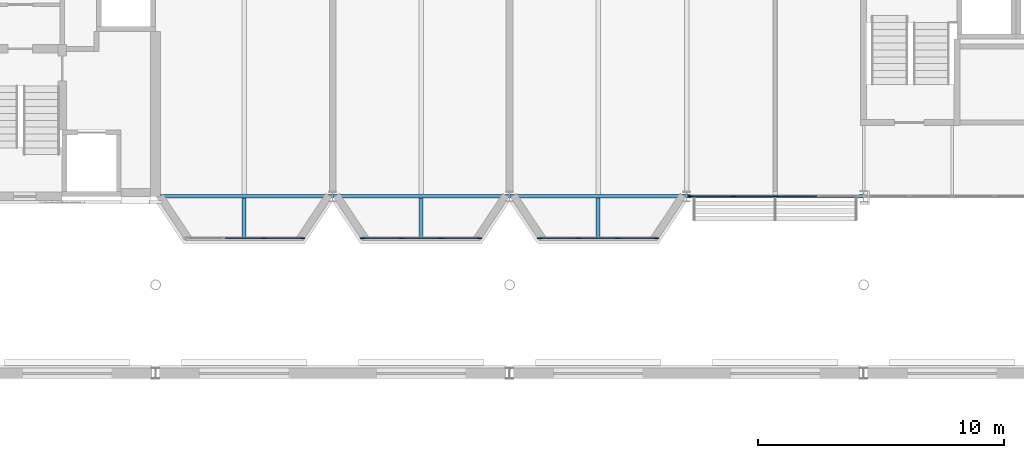
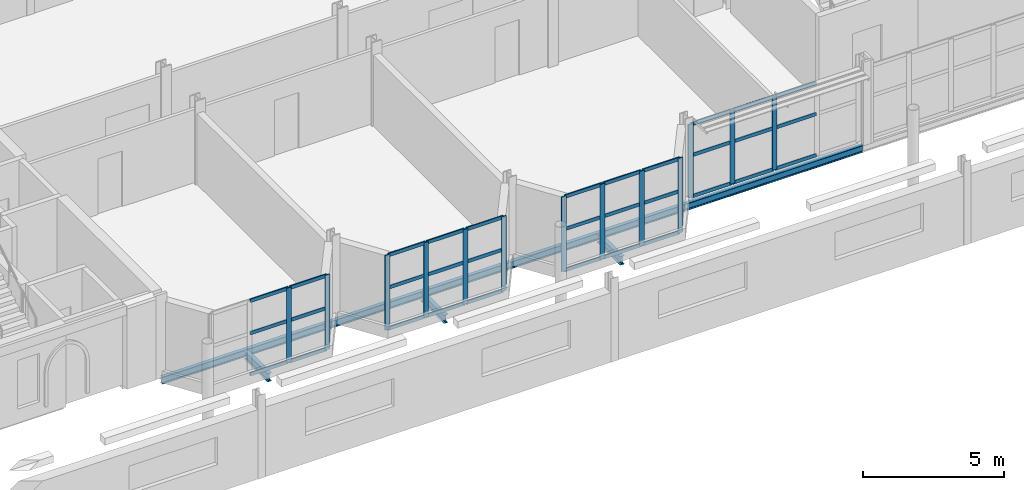
# One storey, part 47 of 124: 46 members, 7 beams, 4 elements without a shape of their own.
"""IFC4 building model written with IfcOpenShell, lengths in metres."""

from ifc_helpers import new_model, si_unit, direction, frame, origin, origin_2d, place, context, subcontext, project, spatial, rectangle, i_section, extrude, material, material_profile, profile_set, type_object, element, aggregate, save


model = new_model("IFC4")

# Units and contexts
model_context = context("Model", 3, precision=1e-05, world=origin(), true_north=direction((0.0, 1.0)))
body_context = subcontext(model_context, "Body", "Model", "MODEL_VIEW")
ifc_project = project(units=[si_unit("LENGTHUNIT", "METRE"), si_unit("AREAUNIT", "SQUARE_METRE"), si_unit("VOLUMEUNIT", "CUBIC_METRE"), si_unit("PLANEANGLEUNIT", "RADIAN"), si_unit("MASSUNIT", "GRAM", prefix="KILO")], contexts=[model_context])

# Site, building, storey
site_placement = place(None, origin())
site = spatial("IfcSite", under=ifc_project, at=site_placement, CompositionType="ELEMENT")
building_placement = place(site_placement, origin())
building = spatial("IfcBuilding", under=site, at=building_placement, Name="Kupolbacken Congress Centre", CompositionType="ELEMENT")
storey_placement = place(building_placement, frame((0.0, 0.0, 10.800048828125)))
storey = spatial("IfcBuildingStorey", under=building, at=storey_placement, Name="L03", CompositionType="ELEMENT", Elevation=10.800048828125)

# Beams
ifc_material_1 = material(Name="Steel S355", Category="steel")
ifc_material_profile_1 = material_profile(ifc_material_1, i_section(OverallWidth=0.14990234375, OverallDepth=0.300048828125, WebThickness=0.007080078125, FlangeThickness=0.0107421875, FilletRadius=0.014892578125, at=origin_2d()), Name="IPE 300")
ifc_profile_set_1 = profile_set([ifc_material_profile_1], Name="Steel S355")
beam_type_1 = type_object("IfcBeamType", Name="B04 beam IPE 300", PredefinedType="BEAM", material=ifc_profile_set_1)
beam_1_placement = place(storey_placement, frame((108.199951171875, 122.39990234375, -0.330078125), z_axis=(1.0, 0.0, 0.0), x_axis=(0.0, 1.0, 0.0)))
element("IfcBeam", 1, at=beam_1_placement, inside=storey, type_object=beam_type_1, Name="S/floor/T/L03/R003", PredefinedType="BEAM", context=body_context, shape_type="SweptSolid", body=[
    extrude(i_section(OverallWidth=0.14990234375, OverallDepth=0.300048828125, WebThickness=0.007080078125, FlangeThickness=0.0107421875, FilletRadius=0.014892578125, at=origin_2d()), origin(), (0.0, 0.0, 1.0), 6.989501953125),
])
beam_2_placement = place(storey_placement, frame((115.21044921875, 122.39990234375, -0.330078125), z_axis=(1.0, 0.0, 0.0), x_axis=(0.0, 1.0, 0.0)))
element("IfcBeam", 2, at=beam_2_placement, inside=storey, type_object=beam_type_1, Name="S/floor/T/L03/R004", PredefinedType="BEAM", context=body_context, shape_type="SweptSolid", body=[
    extrude(i_section(OverallWidth=0.14990234375, OverallDepth=0.300048828125, WebThickness=0.007080078125, FlangeThickness=0.0107421875, FilletRadius=0.014892578125, at=origin_2d()), origin(), (0.0, 0.0, 1.0), 7.178955078125),
])
beam_3_placement = place(storey_placement, frame((122.410400390625, 122.39990234375, -0.330078125), z_axis=(1.0, 0.0, 0.0), x_axis=(0.0, 1.0, 0.0)))
element("IfcBeam", 3, at=beam_3_placement, inside=storey, type_object=beam_type_1, Name="S/floor/T/L03/R005", PredefinedType="BEAM", context=body_context, shape_type="SweptSolid", body=[
    extrude(i_section(OverallWidth=0.14990234375, OverallDepth=0.300048828125, WebThickness=0.007080078125, FlangeThickness=0.0107421875, FilletRadius=0.014892578125, at=origin_2d()), origin(), (0.0, 0.0, 1.0), 7.17919921875),
])
beam_4_placement = place(storey_placement, frame((129.610595703125, 122.39990234375, -0.330078125), z_axis=(1.0, 0.0, 0.0), x_axis=(0.0, 1.0, 0.0)))
element("IfcBeam", 4, at=beam_4_placement, inside=storey, type_object=beam_type_1, Name="S/floor/T/L03/R006", PredefinedType="BEAM", context=body_context, shape_type="SweptSolid", body=[
    extrude(i_section(OverallWidth=0.14990234375, OverallDepth=0.300048828125, WebThickness=0.007080078125, FlangeThickness=0.0107421875, FilletRadius=0.014892578125, at=origin_2d()), origin(), (0.0, 0.0, 1.0), 7.182373046875),
])
ifc_material_2 = material(Name="Steel S355", Category="steel")
ifc_material_profile_2 = material_profile(ifc_material_2, i_section(OverallWidth=0.169921875, OverallDepth=0.360107421875, WebThickness=0.008056640625, FlangeThickness=0.0126953125, FilletRadius=0.01806640625, at=origin_2d()), Name="IPE 360")
ifc_profile_set_2 = profile_set([ifc_material_profile_2], Name="Steel S355")
beam_type_2 = type_object("IfcBeamType", Name="B06 beam IPE 360", PredefinedType="BEAM", material=ifc_profile_set_2)
for number, where, z_axis, x_axis, name in (
    (5, (111.60009765625, 122.324951171875, -0.360107421875), (0.0, -1.0, 0.0), (1.0, 0.0, 0.0), "S/floor/T/L03/C085"),
    (6, (118.800048828125, 122.324951171875, -0.360107421875), (0.0, -1.0, 0.0), (1.0, 0.0, 0.0), "S/floor/T/L03/C087"),
    (7, (126.0, 122.324951171875, -0.360107421875), (0.0, -1.0, 0.0), (1.0, 0.0, 0.0), "S/floor/T/L03/C089"),
):
    element("IfcBeam", number, at=place(storey_placement, frame(where, z_axis=z_axis, x_axis=x_axis)), inside=storey, type_object=beam_type_2, Name=name, PredefinedType="BEAM", context=body_context, shape_type="SweptSolid", body=[
        extrude(i_section(OverallWidth=0.169921875, OverallDepth=0.360107421875, WebThickness=0.008056640625, FlangeThickness=0.0126953125, FilletRadius=0.01806640625, at=origin_2d()), origin(), (0.0, 0.0, 1.0), 1.6650390625),
    ])

# Curtain wall, members
ifc_material_3 = material(Name="Aluminium mullion-transom frame with glass", Category="aluminium")
curtain_wall_type = type_object("IfcCurtainWallType", Name="CW1 curtain wall 7200x3600", PredefinedType="NOTDEFINED", material=ifc_material_3)
curtain_wall_1_placement = place(storey_placement, origin())
curtain_wall_1 = element("IfcCurtainWall", 8, at=curtain_wall_1_placement, inside=storey, type_object=curtain_wall_type, Name="E/T/S/L03/043/g0", PredefinedType="NOTDEFINED")
ifc_material_4 = material(Name="Aluminium alloy", Category="aluminium")
ifc_material_profile_3 = material_profile(ifc_material_4, rectangle(XDim=0.050048828125, YDim=0.199951171875, at=origin_2d()), Name="50 x 200")
ifc_profile_set_3 = profile_set([ifc_material_profile_3], Name="Aluminium alloy")
member_type_1 = type_object("IfcMemberType", Name="MU2 mullion 50x200", PredefinedType="MULLION", material=ifc_profile_set_3)
member_1_placement = place(storey_placement, frame((129.778564453125, 122.39990234375, 0.0), z_axis=(0.0, 0.0, 1.0), x_axis=(0.0, 1.0, 0.0)))
member_1 = element("IfcMember", 9, at=member_1_placement, type_object=member_type_1, Name="CW1 mullion 1", PredefinedType="MULLION", context=body_context, shape_type="SweptSolid", body=[
    extrude(rectangle(XDim=0.050048828125, YDim=0.199951171875, at=origin_2d()), origin(), (0.0, 0.0, 1.0), 3.159912109375),
])
member_2_placement = place(storey_placement, frame((131.4775390625, 122.39990234375, 0.0), z_axis=(0.0, 0.0, 1.0), x_axis=(0.0, 1.0, 0.0)))
member_2 = element("IfcMember", 10, at=member_2_placement, type_object=member_type_1, Name="CW1 mullion 2", PredefinedType="MULLION", context=body_context, shape_type="SweptSolid", body=[
    extrude(rectangle(XDim=0.050048828125, YDim=0.199951171875, at=origin_2d()), origin(), (0.0, 0.0, 1.0), 3.159912109375),
])
member_3_placement = place(storey_placement, frame((133.20166015625, 122.39990234375, 0.0), z_axis=(0.0, 0.0, 1.0), x_axis=(0.0, 1.0, 0.0)))
member_3 = element("IfcMember", 11, at=member_3_placement, type_object=member_type_1, Name="CW1 mullion 3", PredefinedType="MULLION", context=body_context, shape_type="SweptSolid", body=[
    extrude(rectangle(XDim=0.050048828125, YDim=0.199951171875, at=origin_2d()), origin(), (0.0, 0.0, 1.0), 3.159912109375),
])

curtain_wall_2_placement = place(storey_placement, origin())
curtain_wall_2 = element("IfcCurtainWall", 12, at=curtain_wall_2_placement, inside=storey, type_object=curtain_wall_type, Name="E/T/cumba/L03/S/011/cw", PredefinedType="NOTDEFINED")
member_4_placement = place(storey_placement, frame((112.39990234375, 120.699951171875, 0.0), z_axis=(0.0, 0.0, 1.0), x_axis=(0.0, 1.0, 0.0)))
member_4 = element("IfcMember", 13, at=member_4_placement, type_object=member_type_1, Name="CW1 mullion 3", PredefinedType="MULLION", context=body_context, shape_type="SweptSolid", body=[
    extrude(rectangle(XDim=0.050048828125, YDim=0.199951171875, at=origin_2d()), origin(), (0.0, 0.0, 1.0), 3.219970703125),
])
member_5_placement = place(storey_placement, frame((113.97509765625, 120.699951171875, 0.0), z_axis=(0.0, 0.0, 1.0), x_axis=(0.0, 1.0, 0.0)))
member_5 = element("IfcMember", 14, at=member_5_placement, type_object=member_type_1, Name="CW1 mullion 4", PredefinedType="MULLION", context=body_context, shape_type="SweptSolid", body=[
    extrude(rectangle(XDim=0.050048828125, YDim=0.199951171875, at=origin_2d()), origin(), (0.0, 0.0, 1.0), 3.219970703125),
])

curtain_wall_3_placement = place(storey_placement, origin())
curtain_wall_3 = element("IfcCurtainWall", 15, at=curtain_wall_3_placement, inside=storey, type_object=curtain_wall_type, Name="E/T/cumba/L03/S/015/cw", PredefinedType="NOTDEFINED")
member_6_placement = place(storey_placement, frame((116.425048828125, 120.699951171875, 0.0), z_axis=(0.0, 0.0, 1.0), x_axis=(0.0, 1.0, 0.0)))
member_6 = element("IfcMember", 16, at=member_6_placement, type_object=member_type_1, Name="CW1 mullion 1", PredefinedType="MULLION", context=body_context, shape_type="SweptSolid", body=[
    extrude(rectangle(XDim=0.050048828125, YDim=0.199951171875, at=origin_2d()), origin(), (0.0, 0.0, 1.0), 3.219970703125),
])
member_7_placement = place(storey_placement, frame((118.0, 120.699951171875, 0.0), z_axis=(0.0, 0.0, 1.0), x_axis=(0.0, 1.0, 0.0)))
member_7 = element("IfcMember", 17, at=member_7_placement, type_object=member_type_1, Name="CW1 mullion 2", PredefinedType="MULLION", context=body_context, shape_type="SweptSolid", body=[
    extrude(rectangle(XDim=0.050048828125, YDim=0.199951171875, at=origin_2d()), origin(), (0.0, 0.0, 1.0), 3.219970703125),
])
member_8_placement = place(storey_placement, frame((119.60009765625, 120.699951171875, 0.0), z_axis=(0.0, 0.0, 1.0), x_axis=(0.0, 1.0, 0.0)))
member_8 = element("IfcMember", 18, at=member_8_placement, type_object=member_type_1, Name="CW1 mullion 3", PredefinedType="MULLION", context=body_context, shape_type="SweptSolid", body=[
    extrude(rectangle(XDim=0.050048828125, YDim=0.199951171875, at=origin_2d()), origin(), (0.0, 0.0, 1.0), 3.219970703125),
])
member_9_placement = place(storey_placement, frame((121.175048828125, 120.699951171875, 0.0), z_axis=(0.0, 0.0, 1.0), x_axis=(0.0, 1.0, 0.0)))
member_9 = element("IfcMember", 19, at=member_9_placement, type_object=member_type_1, Name="CW1 mullion 4", PredefinedType="MULLION", context=body_context, shape_type="SweptSolid", body=[
    extrude(rectangle(XDim=0.050048828125, YDim=0.199951171875, at=origin_2d()), origin(), (0.0, 0.0, 1.0), 3.219970703125),
])

curtain_wall_4_placement = place(storey_placement, origin())
curtain_wall_4 = element("IfcCurtainWall", 20, at=curtain_wall_4_placement, inside=storey, type_object=curtain_wall_type, Name="E/T/cumba/L03/S/019/cw", PredefinedType="NOTDEFINED")
member_10_placement = place(storey_placement, frame((123.625, 120.699951171875, 0.0), z_axis=(0.0, 0.0, 1.0), x_axis=(0.0, 1.0, 0.0)))
member_10 = element("IfcMember", 21, at=member_10_placement, type_object=member_type_1, Name="CW1 mullion 1", PredefinedType="MULLION", context=body_context, shape_type="SweptSolid", body=[
    extrude(rectangle(XDim=0.050048828125, YDim=0.199951171875, at=origin_2d()), origin(), (0.0, 0.0, 1.0), 3.219970703125),
])
member_11_placement = place(storey_placement, frame((125.199951171875, 120.699951171875, 0.0), z_axis=(0.0, 0.0, 1.0), x_axis=(0.0, 1.0, 0.0)))
member_11 = element("IfcMember", 22, at=member_11_placement, type_object=member_type_1, Name="CW1 mullion 2", PredefinedType="MULLION", context=body_context, shape_type="SweptSolid", body=[
    extrude(rectangle(XDim=0.050048828125, YDim=0.199951171875, at=origin_2d()), origin(), (0.0, 0.0, 1.0), 3.219970703125),
])
member_12_placement = place(storey_placement, frame((126.800048828125, 120.699951171875, 0.0), z_axis=(0.0, 0.0, 1.0), x_axis=(0.0, 1.0, 0.0)))
member_12 = element("IfcMember", 23, at=member_12_placement, type_object=member_type_1, Name="CW1 mullion 3", PredefinedType="MULLION", context=body_context, shape_type="SweptSolid", body=[
    extrude(rectangle(XDim=0.050048828125, YDim=0.199951171875, at=origin_2d()), origin(), (0.0, 0.0, 1.0), 3.219970703125),
])
member_13_placement = place(storey_placement, frame((128.375, 120.699951171875, 0.0), z_axis=(0.0, 0.0, 1.0), x_axis=(0.0, 1.0, 0.0)))
member_13 = element("IfcMember", 24, at=member_13_placement, type_object=member_type_1, Name="CW1 mullion 4", PredefinedType="MULLION", context=body_context, shape_type="SweptSolid", body=[
    extrude(rectangle(XDim=0.050048828125, YDim=0.199951171875, at=origin_2d()), origin(), (0.0, 0.0, 1.0), 3.219970703125),
])

# Member
ifc_material_5 = material(Name="Aluminium alloy", Category="aluminium")
ifc_material_profile_4 = material_profile(ifc_material_5, rectangle(XDim=0.050048828125, YDim=0.14990234375, at=origin_2d()), Name="50 x 150")
ifc_profile_set_4 = profile_set([ifc_material_profile_4], Name="Aluminium alloy")
member_type_2 = type_object("IfcMemberType", Name="TR2 transom 50x150", PredefinedType="MULLION", material=ifc_profile_set_4)
member_14_placement = place(storey_placement, frame((129.803466796875, 122.39990234375, 0.02490234375), z_axis=(1.0, 0.0, 0.0), x_axis=(0.0, 1.0, 0.0)))
member_14 = element("IfcMember", 25, at=member_14_placement, type_object=member_type_2, Name="CW1 transom 1.1", PredefinedType="MULLION", context=body_context, shape_type="SweptSolid", body=[
    extrude(rectangle(XDim=0.050048828125, YDim=0.14990234375, at=origin_2d()), origin(), (0.0, 0.0, 1.0), 1.649169921875),
])

member_15_placement = place(storey_placement, frame((129.803466796875, 122.39990234375, 1.800048828125), z_axis=(1.0, 0.0, 0.0), x_axis=(0.0, 1.0, 0.0)))
member_15 = element("IfcMember", 26, at=member_15_placement, type_object=member_type_2, Name="CW1 transom 1.2", PredefinedType="MULLION", context=body_context, shape_type="SweptSolid", body=[
    extrude(rectangle(XDim=0.050048828125, YDim=0.14990234375, at=origin_2d()), origin(), (0.0, 0.0, 1.0), 1.649169921875),
])

member_16_placement = place(storey_placement, frame((129.803466796875, 122.39990234375, 3.135009765625), z_axis=(1.0, 0.0, 0.0), x_axis=(0.0, 1.0, 0.0)))
member_16 = element("IfcMember", 27, at=member_16_placement, type_object=member_type_2, Name="CW1 transom 1.3", PredefinedType="MULLION", context=body_context, shape_type="SweptSolid", body=[
    extrude(rectangle(XDim=0.050048828125, YDim=0.14990234375, at=origin_2d()), origin(), (0.0, 0.0, 1.0), 1.649169921875),
])

member_17_placement = place(storey_placement, frame((131.502685546875, 122.39990234375, 0.02490234375), z_axis=(1.0, 0.0, 0.0), x_axis=(0.0, 1.0, 0.0)))
member_17 = element("IfcMember", 28, at=member_17_placement, type_object=member_type_2, Name="CW1 transom 2.1", PredefinedType="MULLION", context=body_context, shape_type="SweptSolid", body=[
    extrude(rectangle(XDim=0.050048828125, YDim=0.14990234375, at=origin_2d()), origin(), (0.0, 0.0, 1.0), 1.674072265625),
])

member_18_placement = place(storey_placement, frame((131.502685546875, 122.39990234375, 1.800048828125), z_axis=(1.0, 0.0, 0.0), x_axis=(0.0, 1.0, 0.0)))
member_18 = element("IfcMember", 29, at=member_18_placement, type_object=member_type_2, Name="CW1 transom 2.2", PredefinedType="MULLION", context=body_context, shape_type="SweptSolid", body=[
    extrude(rectangle(XDim=0.050048828125, YDim=0.14990234375, at=origin_2d()), origin(), (0.0, 0.0, 1.0), 1.674072265625),
])

member_19_placement = place(storey_placement, frame((131.502685546875, 122.39990234375, 3.135009765625), z_axis=(1.0, 0.0, 0.0), x_axis=(0.0, 1.0, 0.0)))
member_19 = element("IfcMember", 30, at=member_19_placement, type_object=member_type_2, Name="CW1 transom 2.3", PredefinedType="MULLION", context=body_context, shape_type="SweptSolid", body=[
    extrude(rectangle(XDim=0.050048828125, YDim=0.14990234375, at=origin_2d()), origin(), (0.0, 0.0, 1.0), 1.674072265625),
])

member_20_placement = place(storey_placement, frame((133.226806640625, 122.39990234375, 0.02490234375), z_axis=(1.0, 0.0, 0.0), x_axis=(0.0, 1.0, 0.0)))
member_20 = element("IfcMember", 31, at=member_20_placement, type_object=member_type_2, Name="CW1 transom 3.1", PredefinedType="MULLION", context=body_context, shape_type="SweptSolid", body=[
    extrude(rectangle(XDim=0.050048828125, YDim=0.14990234375, at=origin_2d()), origin(), (0.0, 0.0, 1.0), 1.674072265625),
])

member_21_placement = place(storey_placement, frame((133.226806640625, 122.39990234375, 1.800048828125), z_axis=(1.0, 0.0, 0.0), x_axis=(0.0, 1.0, 0.0)))
member_21 = element("IfcMember", 32, at=member_21_placement, type_object=member_type_2, Name="CW1 transom 3.2", PredefinedType="MULLION", context=body_context, shape_type="SweptSolid", body=[
    extrude(rectangle(XDim=0.050048828125, YDim=0.14990234375, at=origin_2d()), origin(), (0.0, 0.0, 1.0), 1.674072265625),
])

member_22_placement = place(storey_placement, frame((133.226806640625, 122.39990234375, 3.135009765625), z_axis=(1.0, 0.0, 0.0), x_axis=(0.0, 1.0, 0.0)))
member_22 = element("IfcMember", 33, at=member_22_placement, type_object=member_type_2, Name="CW1 transom 3.3", PredefinedType="MULLION", context=body_context, shape_type="SweptSolid", body=[
    extrude(rectangle(XDim=0.050048828125, YDim=0.14990234375, at=origin_2d()), origin(), (0.0, 0.0, 1.0), 1.674072265625),
])

aggregate(curtain_wall_1, [member_1, member_2, member_3, member_14, member_15, member_16, member_17, member_18, member_19, member_20, member_21, member_22])

member_23_placement = place(storey_placement, frame((110.824951171875, 120.699951171875, 0.02490234375), z_axis=(1.0, 0.0, 0.0), x_axis=(0.0, 1.0, 0.0)))
member_23 = element("IfcMember", 34, at=member_23_placement, type_object=member_type_2, Name="CW1 transom 2.1", PredefinedType="MULLION", context=body_context, shape_type="SweptSolid", body=[
    extrude(rectangle(XDim=0.050048828125, YDim=0.14990234375, at=origin_2d()), origin(), (0.0, 0.0, 1.0), 1.550048828125),
])

member_24_placement = place(storey_placement, frame((110.824951171875, 120.699951171875, 1.800048828125), z_axis=(1.0, 0.0, 0.0), x_axis=(0.0, 1.0, 0.0)))
member_24 = element("IfcMember", 35, at=member_24_placement, type_object=member_type_2, Name="CW1 transom 2.2", PredefinedType="MULLION", context=body_context, shape_type="SweptSolid", body=[
    extrude(rectangle(XDim=0.050048828125, YDim=0.14990234375, at=origin_2d()), origin(), (0.0, 0.0, 1.0), 1.550048828125),
])

member_25_placement = place(storey_placement, frame((110.824951171875, 120.699951171875, 3.195068359375), z_axis=(1.0, 0.0, 0.0), x_axis=(0.0, 1.0, 0.0)))
member_25 = element("IfcMember", 36, at=member_25_placement, type_object=member_type_2, Name="CW1 transom 2.3", PredefinedType="MULLION", context=body_context, shape_type="SweptSolid", body=[
    extrude(rectangle(XDim=0.050048828125, YDim=0.14990234375, at=origin_2d()), origin(), (0.0, 0.0, 1.0), 1.550048828125),
])

member_26_placement = place(storey_placement, frame((112.425048828125, 120.699951171875, 0.02490234375), z_axis=(1.0, 0.0, 0.0), x_axis=(0.0, 1.0, 0.0)))
member_26 = element("IfcMember", 37, at=member_26_placement, type_object=member_type_2, Name="CW1 transom 3.1", PredefinedType="MULLION", context=body_context, shape_type="SweptSolid", body=[
    extrude(rectangle(XDim=0.050048828125, YDim=0.14990234375, at=origin_2d()), origin(), (0.0, 0.0, 1.0), 1.52490234375),
])

member_27_placement = place(storey_placement, frame((112.425048828125, 120.699951171875, 1.800048828125), z_axis=(1.0, 0.0, 0.0), x_axis=(0.0, 1.0, 0.0)))
member_27 = element("IfcMember", 38, at=member_27_placement, type_object=member_type_2, Name="CW1 transom 3.2", PredefinedType="MULLION", context=body_context, shape_type="SweptSolid", body=[
    extrude(rectangle(XDim=0.050048828125, YDim=0.14990234375, at=origin_2d()), origin(), (0.0, 0.0, 1.0), 1.52490234375),
])

member_28_placement = place(storey_placement, frame((112.425048828125, 120.699951171875, 3.195068359375), z_axis=(1.0, 0.0, 0.0), x_axis=(0.0, 1.0, 0.0)))
member_28 = element("IfcMember", 39, at=member_28_placement, type_object=member_type_2, Name="CW1 transom 3.3", PredefinedType="MULLION", context=body_context, shape_type="SweptSolid", body=[
    extrude(rectangle(XDim=0.050048828125, YDim=0.14990234375, at=origin_2d()), origin(), (0.0, 0.0, 1.0), 1.52490234375),
])

aggregate(curtain_wall_2, [member_4, member_5, member_23, member_24, member_25, member_26, member_27, member_28])

member_29_placement = place(storey_placement, frame((116.449951171875, 120.699951171875, 0.02490234375), z_axis=(1.0, 0.0, 0.0), x_axis=(0.0, 1.0, 0.0)))
member_29 = element("IfcMember", 40, at=member_29_placement, type_object=member_type_2, Name="CW1 transom 1.1", PredefinedType="MULLION", context=body_context, shape_type="SweptSolid", body=[
    extrude(rectangle(XDim=0.050048828125, YDim=0.14990234375, at=origin_2d()), origin(), (0.0, 0.0, 1.0), 1.525146484375),
])

member_30_placement = place(storey_placement, frame((116.449951171875, 120.699951171875, 1.800048828125), z_axis=(1.0, 0.0, 0.0), x_axis=(0.0, 1.0, 0.0)))
member_30 = element("IfcMember", 41, at=member_30_placement, type_object=member_type_2, Name="CW1 transom 1.2", PredefinedType="MULLION", context=body_context, shape_type="SweptSolid", body=[
    extrude(rectangle(XDim=0.050048828125, YDim=0.14990234375, at=origin_2d()), origin(), (0.0, 0.0, 1.0), 1.525146484375),
])

member_31_placement = place(storey_placement, frame((116.449951171875, 120.699951171875, 3.195068359375), z_axis=(1.0, 0.0, 0.0), x_axis=(0.0, 1.0, 0.0)))
member_31 = element("IfcMember", 42, at=member_31_placement, type_object=member_type_2, Name="CW1 transom 1.3", PredefinedType="MULLION", context=body_context, shape_type="SweptSolid", body=[
    extrude(rectangle(XDim=0.050048828125, YDim=0.14990234375, at=origin_2d()), origin(), (0.0, 0.0, 1.0), 1.525146484375),
])

member_32_placement = place(storey_placement, frame((118.02490234375, 120.699951171875, 0.02490234375), z_axis=(1.0, 0.0, 0.0), x_axis=(0.0, 1.0, 0.0)))
member_32 = element("IfcMember", 43, at=member_32_placement, type_object=member_type_2, Name="CW1 transom 2.1", PredefinedType="MULLION", context=body_context, shape_type="SweptSolid", body=[
    extrude(rectangle(XDim=0.050048828125, YDim=0.14990234375, at=origin_2d()), origin(), (0.0, 0.0, 1.0), 1.550048828125),
])

member_33_placement = place(storey_placement, frame((118.02490234375, 120.699951171875, 1.800048828125), z_axis=(1.0, 0.0, 0.0), x_axis=(0.0, 1.0, 0.0)))
member_33 = element("IfcMember", 44, at=member_33_placement, type_object=member_type_2, Name="CW1 transom 2.2", PredefinedType="MULLION", context=body_context, shape_type="SweptSolid", body=[
    extrude(rectangle(XDim=0.050048828125, YDim=0.14990234375, at=origin_2d()), origin(), (0.0, 0.0, 1.0), 1.550048828125),
])

member_34_placement = place(storey_placement, frame((118.02490234375, 120.699951171875, 3.195068359375), z_axis=(1.0, 0.0, 0.0), x_axis=(0.0, 1.0, 0.0)))
member_34 = element("IfcMember", 45, at=member_34_placement, type_object=member_type_2, Name="CW1 transom 2.3", PredefinedType="MULLION", context=body_context, shape_type="SweptSolid", body=[
    extrude(rectangle(XDim=0.050048828125, YDim=0.14990234375, at=origin_2d()), origin(), (0.0, 0.0, 1.0), 1.550048828125),
])

member_35_placement = place(storey_placement, frame((119.625, 120.699951171875, 0.02490234375), z_axis=(1.0, 0.0, 0.0), x_axis=(0.0, 1.0, 0.0)))
member_35 = element("IfcMember", 46, at=member_35_placement, type_object=member_type_2, Name="CW1 transom 3.1", PredefinedType="MULLION", context=body_context, shape_type="SweptSolid", body=[
    extrude(rectangle(XDim=0.050048828125, YDim=0.14990234375, at=origin_2d()), origin(), (0.0, 0.0, 1.0), 1.52490234375),
])

member_36_placement = place(storey_placement, frame((119.625, 120.699951171875, 1.800048828125), z_axis=(1.0, 0.0, 0.0), x_axis=(0.0, 1.0, 0.0)))
member_36 = element("IfcMember", 47, at=member_36_placement, type_object=member_type_2, Name="CW1 transom 3.2", PredefinedType="MULLION", context=body_context, shape_type="SweptSolid", body=[
    extrude(rectangle(XDim=0.050048828125, YDim=0.14990234375, at=origin_2d()), origin(), (0.0, 0.0, 1.0), 1.52490234375),
])

member_37_placement = place(storey_placement, frame((119.625, 120.699951171875, 3.195068359375), z_axis=(1.0, 0.0, 0.0), x_axis=(0.0, 1.0, 0.0)))
member_37 = element("IfcMember", 48, at=member_37_placement, type_object=member_type_2, Name="CW1 transom 3.3", PredefinedType="MULLION", context=body_context, shape_type="SweptSolid", body=[
    extrude(rectangle(XDim=0.050048828125, YDim=0.14990234375, at=origin_2d()), origin(), (0.0, 0.0, 1.0), 1.52490234375),
])

aggregate(curtain_wall_3, [member_6, member_7, member_8, member_9, member_29, member_30, member_31, member_32, member_33, member_34, member_35, member_36, member_37])

member_38_placement = place(storey_placement, frame((123.64990234375, 120.699951171875, 0.02490234375), z_axis=(1.0, 0.0, 0.0), x_axis=(0.0, 1.0, 0.0)))
member_38 = element("IfcMember", 49, at=member_38_placement, type_object=member_type_2, Name="CW1 transom 1.1", PredefinedType="MULLION", context=body_context, shape_type="SweptSolid", body=[
    extrude(rectangle(XDim=0.050048828125, YDim=0.14990234375, at=origin_2d()), origin(), (0.0, 0.0, 1.0), 1.525146484375),
])

member_39_placement = place(storey_placement, frame((123.64990234375, 120.699951171875, 1.800048828125), z_axis=(1.0, 0.0, 0.0), x_axis=(0.0, 1.0, 0.0)))
member_39 = element("IfcMember", 50, at=member_39_placement, type_object=member_type_2, Name="CW1 transom 1.2", PredefinedType="MULLION", context=body_context, shape_type="SweptSolid", body=[
    extrude(rectangle(XDim=0.050048828125, YDim=0.14990234375, at=origin_2d()), origin(), (0.0, 0.0, 1.0), 1.525146484375),
])

member_40_placement = place(storey_placement, frame((123.64990234375, 120.699951171875, 3.195068359375), z_axis=(1.0, 0.0, 0.0), x_axis=(0.0, 1.0, 0.0)))
member_40 = element("IfcMember", 51, at=member_40_placement, type_object=member_type_2, Name="CW1 transom 1.3", PredefinedType="MULLION", context=body_context, shape_type="SweptSolid", body=[
    extrude(rectangle(XDim=0.050048828125, YDim=0.14990234375, at=origin_2d()), origin(), (0.0, 0.0, 1.0), 1.525146484375),
])

member_41_placement = place(storey_placement, frame((125.22509765625, 120.699951171875, 0.02490234375), z_axis=(1.0, 0.0, 0.0), x_axis=(0.0, 1.0, 0.0)))
member_41 = element("IfcMember", 52, at=member_41_placement, type_object=member_type_2, Name="CW1 transom 2.1", PredefinedType="MULLION", context=body_context, shape_type="SweptSolid", body=[
    extrude(rectangle(XDim=0.050048828125, YDim=0.14990234375, at=origin_2d()), origin(), (0.0, 0.0, 1.0), 1.5498046875),
])

member_42_placement = place(storey_placement, frame((125.22509765625, 120.699951171875, 1.800048828125), z_axis=(1.0, 0.0, 0.0), x_axis=(0.0, 1.0, 0.0)))
member_42 = element("IfcMember", 53, at=member_42_placement, type_object=member_type_2, Name="CW1 transom 2.2", PredefinedType="MULLION", context=body_context, shape_type="SweptSolid", body=[
    extrude(rectangle(XDim=0.050048828125, YDim=0.14990234375, at=origin_2d()), origin(), (0.0, 0.0, 1.0), 1.5498046875),
])

member_43_placement = place(storey_placement, frame((125.22509765625, 120.699951171875, 3.195068359375), z_axis=(1.0, 0.0, 0.0), x_axis=(0.0, 1.0, 0.0)))
member_43 = element("IfcMember", 54, at=member_43_placement, type_object=member_type_2, Name="CW1 transom 2.3", PredefinedType="MULLION", context=body_context, shape_type="SweptSolid", body=[
    extrude(rectangle(XDim=0.050048828125, YDim=0.14990234375, at=origin_2d()), origin(), (0.0, 0.0, 1.0), 1.5498046875),
])

member_44_placement = place(storey_placement, frame((126.824951171875, 120.699951171875, 0.02490234375), z_axis=(1.0, 0.0, 0.0), x_axis=(0.0, 1.0, 0.0)))
member_44 = element("IfcMember", 55, at=member_44_placement, type_object=member_type_2, Name="CW1 transom 3.1", PredefinedType="MULLION", context=body_context, shape_type="SweptSolid", body=[
    extrude(rectangle(XDim=0.050048828125, YDim=0.14990234375, at=origin_2d()), origin(), (0.0, 0.0, 1.0), 1.525146484375),
])

member_45_placement = place(storey_placement, frame((126.824951171875, 120.699951171875, 1.800048828125), z_axis=(1.0, 0.0, 0.0), x_axis=(0.0, 1.0, 0.0)))
member_45 = element("IfcMember", 56, at=member_45_placement, type_object=member_type_2, Name="CW1 transom 3.2", PredefinedType="MULLION", context=body_context, shape_type="SweptSolid", body=[
    extrude(rectangle(XDim=0.050048828125, YDim=0.14990234375, at=origin_2d()), origin(), (0.0, 0.0, 1.0), 1.525146484375),
])

member_46_placement = place(storey_placement, frame((126.824951171875, 120.699951171875, 3.195068359375), z_axis=(1.0, 0.0, 0.0), x_axis=(0.0, 1.0, 0.0)))
member_46 = element("IfcMember", 57, at=member_46_placement, type_object=member_type_2, Name="CW1 transom 3.3", PredefinedType="MULLION", context=body_context, shape_type="SweptSolid", body=[
    extrude(rectangle(XDim=0.050048828125, YDim=0.14990234375, at=origin_2d()), origin(), (0.0, 0.0, 1.0), 1.525146484375),
])

aggregate(curtain_wall_4, [member_10, member_11, member_12, member_13, member_38, member_39, member_40, member_41, member_42, member_43, member_44, member_45, member_46])

save(model, "model.ifc")
